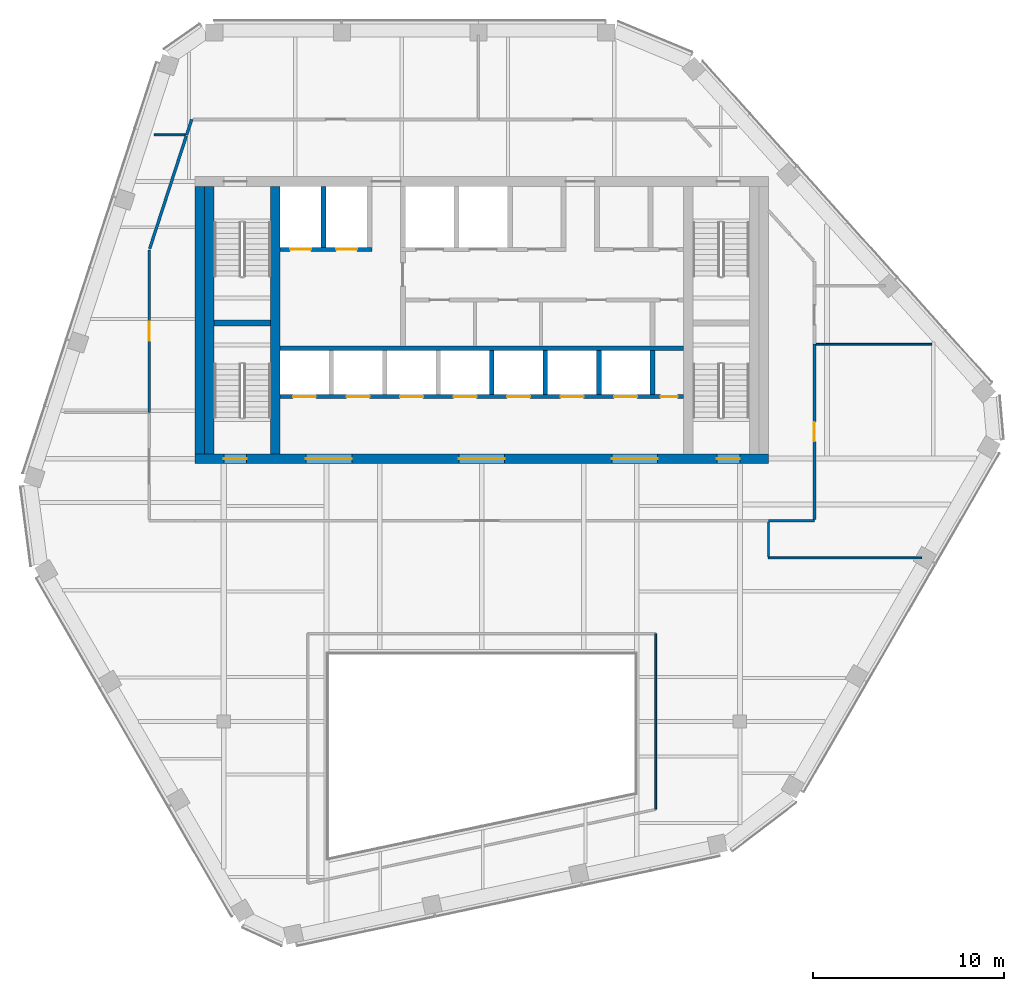
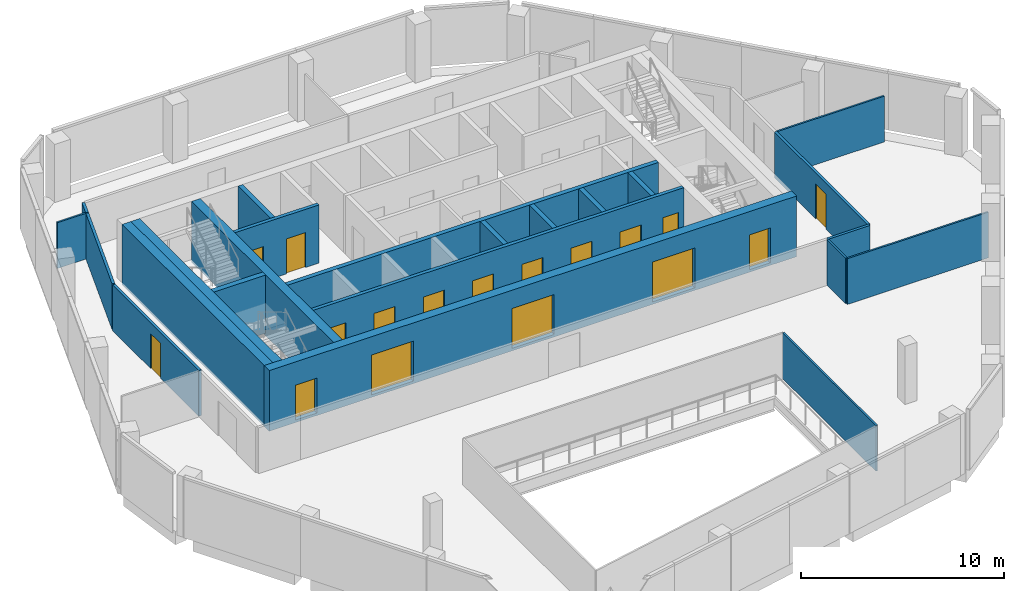
# One storey, part 8 of 15: 23 walls, 17 doors, 17 openings.
"""IFC4 building model written with IfcOpenShell, lengths in metres."""

from ifc_helpers import new_model, si_unit, direction, frame, frame_2d, origin, place, context, subcontext, project, spatial, rectangle, extrude, material, layer, layer_set, type_object, element, fill, save


model = new_model("IFC4")

# Units and contexts
model_context = context("Model", 3, precision=1e-05, world=origin(), true_north=direction((0.0, 1.0)))
body_context = subcontext(model_context, "Body", "Model", "MODEL_VIEW")
ifc_project = project(units=[si_unit("LENGTHUNIT", "METRE"), si_unit("AREAUNIT", "SQUARE_METRE"), si_unit("VOLUMEUNIT", "CUBIC_METRE"), si_unit("PLANEANGLEUNIT", "RADIAN"), si_unit("MASSUNIT", "GRAM", prefix="KILO")], contexts=[model_context])

# Site, building, storey
site_placement = place(None, origin())
site = spatial("IfcSite", under=ifc_project, at=site_placement, CompositionType="ELEMENT")
building_placement = place(site_placement, origin())
building = spatial("IfcBuilding", under=site, at=building_placement, Name="Isthmus Gate Tower", CompositionType="ELEMENT")
storey_placement = place(building_placement, frame((0.0, 0.0, 268.25)))
storey = spatial("IfcBuildingStorey", under=building, at=storey_placement, Name="L68", CompositionType="ELEMENT", Elevation=268.25)

# Walls
ifc_material_1 = material(Name="Fire-rated laminated glass in steel frame", Category="steel")
ifc_layer_1 = layer(ifc_material_1, 0.10009765625)
ifc_layer_set_1 = layer_set([ifc_layer_1], Name="ATRIUM SCREEN GLAZED WALL 100 120 MIN")
wall_type_1 = type_object("IfcWallType", Name="ATRIUM SCREEN GLAZED WALL 100 120 MIN", PredefinedType="PARTITIONING", material=ifc_layer_set_1)
wall_1_placement = place(storey_placement, frame((9.10009765625, -8.89990234375, 0.0), z_axis=(0.0, 0.0, 1.0), x_axis=(0.0, -1.0, 0.0)))
element("IfcWall", 1, at=wall_1_placement, inside=storey, type_object=wall_type_1, Name="L68 atrium screen", PredefinedType="PARTITIONING", context=body_context, shape_type="SweptSolid", body=[
    extrude(rectangle(XDim=9.200927734375, YDim=0.10009765625, at=frame_2d((4.6005859375, 0.0))), origin(), (0.0, 0.0, 1.0), 2.750732421875),
])
ifc_material_2 = material(Name="Gypsum board on steel studs, fire-rated", Category="steel")
ifc_layer_2 = layer(ifc_material_2, 0.14990234375)
ifc_layer_set_2 = layer_set([ifc_layer_2], Name="CORRIDOR WALL 150 60 MIN")
wall_type_2 = type_object("IfcWallType", Name="CORRIDOR WALL 150 60 MIN", PredefinedType="PARTITIONING", material=ifc_layer_set_2)
wall_2_placement = place(storey_placement, frame((17.39990234375, -3.0, 0.0), z_axis=(0.0, 0.0, 1.0), x_axis=(-1.0, 0.0, 0.0)))
element("IfcWall", 2, at=wall_2_placement, inside=storey, type_object=wall_type_2, Name="L68 Corridor Wall 150 60 Min", PredefinedType="PARTITIONING", context=body_context, shape_type="SweptSolid", body=[
    extrude(rectangle(XDim=2.39990234375, YDim=0.14990234375, at=frame_2d((1.199951171875, 0.0))), origin(), (0.0, 0.0, 1.0), 2.750732421875),
])

# Wall, opening, door
wall_3_placement = place(storey_placement, frame((17.39990234375, 6.237060546875, 0.0), z_axis=(0.0, 0.0, 1.0), x_axis=(0.0, -1.0, 0.0)))
wall_3 = element("IfcWall", 3, at=wall_3_placement, inside=storey, type_object=wall_type_2, Name="L68 Corridor Wall 150 60 Min", PredefinedType="PARTITIONING", context=body_context, shape_type="SweptSolid", body=[
    extrude(rectangle(XDim=9.162109375, YDim=0.14990234375, at=frame_2d((4.5810546875, 0.0))), origin(), (0.0, 0.0, 1.0), 2.750732421875),
])
opening_1_placement = place(wall_3_placement, frame((4.0810546875, 0.0, 0.0)))
opening_1 = element("IfcOpeningElement", 4, at=opening_1_placement, cuts=wall_3, Name="Opening DT-T6A-06", PredefinedType="OPENING", context=body_context, shape_type="SweptSolid", body=[
    extrude(rectangle(XDim=1.0, YDim=2.10009765625, at=frame_2d((0.5, 1.050048828125))), frame((0.0, 0.0849609375, 0.0), z_axis=(0.0, -1.0, 0.0), x_axis=(1.0, 0.0, 0.0)), (0.0, 0.0, 1.0), 0.169921875),
])
ifc_material_3 = material(Name="Solid core timber door leaf, fire-rated", Category="wood")
door_type_1 = type_object("IfcDoorType", Name="FIRE DOOR ROOM 1000 X 2100 60 MIN", OperationType="SINGLE_SWING_LEFT", PredefinedType="DOOR", material=ifc_material_3)
door_1_placement = place(opening_1_placement, origin())
door_1 = element("IfcDoor", 5, at=door_1_placement, inside=storey, type_object=door_type_1, Name="L68 room door", OperationType="SINGLE_SWING_RIGHT", OverallHeight=2.10009765625, OverallWidth=1.0, PredefinedType="DOOR", context=body_context, shape_type="SweptSolid", body=[
    extrude(rectangle(XDim=1.0, YDim=2.10009765625, at=frame_2d((0.5, 1.050048828125))), frame((0.0, 0.02490234375, 0.0), z_axis=(0.0, -1.0, 0.0), x_axis=(1.0, 0.0, 0.0)), (0.0, 0.0, 1.0), 0.050048828125),
])
fill(opening_1, door_1)

# Wall
wall_4_placement = place(storey_placement, frame((-15.44189453125, 17.18701171875, 0.0), z_axis=(0.0, 0.0, 1.0), x_axis=(0.308763129345, 0.951138964588, 0.0)))
element("IfcWall", 6, at=wall_4_placement, inside=storey, type_object=wall_type_2, Name="L68 Corridor Wall 150 60 Min", PredefinedType="PARTITIONING", context=body_context, shape_type="SweptSolid", body=[
    extrude(rectangle(XDim=0.854736328125, YDim=0.14990234375, at=frame_2d((0.42724609375, 0.0))), origin(), (0.0, 0.0, 1.0), 2.750732421875),
])

# Wall, opening, door
wall_5_placement = place(storey_placement, frame((-17.39990234375, 2.669921875, 0.0), z_axis=(0.0, 0.0, 1.0), x_axis=(0.0, 1.0, 0.0)))
wall_5 = element("IfcWall", 7, at=wall_5_placement, inside=storey, type_object=wall_type_2, Name="L68 Corridor Wall 150 60 Min", PredefinedType="PARTITIONING", context=body_context, shape_type="SweptSolid", body=[
    extrude(rectangle(XDim=8.490966796875, YDim=0.14990234375, at=frame_2d((4.24560546875, 0.0))), origin(), (0.0, 0.0, 1.0), 2.750732421875),
])
opening_2_placement = place(wall_5_placement, frame((3.74560546875, 0.0, 0.0)))
opening_2 = element("IfcOpeningElement", 8, at=opening_2_placement, cuts=wall_5, Name="Opening DT-T6A-04", PredefinedType="OPENING", context=body_context, shape_type="SweptSolid", body=[
    extrude(rectangle(XDim=1.0, YDim=2.10009765625, at=frame_2d((0.5, 1.050048828125))), frame((0.0, 0.0849609375, 0.0), z_axis=(0.0, -1.0, 0.0), x_axis=(1.0, 0.0, 0.0)), (0.0, 0.0, 1.0), 0.169921875),
])
door_2_placement = place(opening_2_placement, origin())
door_2 = element("IfcDoor", 9, at=door_2_placement, inside=storey, type_object=door_type_1, Name="L68 room door", OperationType="SINGLE_SWING_RIGHT", OverallHeight=2.10009765625, OverallWidth=1.0, PredefinedType="DOOR", context=body_context, shape_type="SweptSolid", body=[
    extrude(rectangle(XDim=1.0, YDim=2.10009765625, at=frame_2d((0.5, 1.050048828125))), frame((0.0, 0.02490234375, 0.0), z_axis=(0.0, -1.0, 0.0), x_axis=(1.0, 0.0, 0.0)), (0.0, 0.0, 1.0), 0.050048828125),
])
fill(opening_2, door_2)

# Walls
wall_6_placement = place(storey_placement, frame((-17.376708984375, 11.232421875, 0.0), z_axis=(0.0, 0.0, 1.0), x_axis=(0.309001632963, 0.951061507383, 0.0)))
element("IfcWall", 10, at=wall_6_placement, inside=storey, type_object=wall_type_2, Name="L68 Corridor Wall 150 60 Min", PredefinedType="PARTITIONING", context=body_context, shape_type="SweptSolid", body=[
    extrude(rectangle(XDim=6.2109375, YDim=0.14990234375, at=frame_2d((3.10546875, 0.0))), origin(), (0.0, 0.0, 1.0), 2.750732421875),
])
ifc_material_4 = material(Name="Concrete f'c 50 MPa", Category="concrete")
ifc_layer_3 = layer(ifc_material_4, 0.5)
ifc_layer_set_3 = layer_set([ifc_layer_3], Name="RC CORE SPINE WALL 500 F'C 50")
wall_type_3 = type_object("IfcWallType", Name="RC CORE SPINE WALL 500 F'C 50", PredefinedType="SOLIDWALL", material=ifc_layer_set_3)
wall_7_placement = place(storey_placement, frame((-10.800048828125, 0.5, -0.14990234375), z_axis=(0.0, 0.0, 1.0), x_axis=(0.0, 1.0, 0.0)))
element("IfcWall", 11, at=wall_7_placement, inside=storey, type_object=wall_type_3, Name="str-corewall-L68-SPW", PredefinedType="SOLIDWALL", context=body_context, shape_type="SweptSolid", body=[
    extrude(rectangle(XDim=14.0, YDim=0.5, at=frame_2d((7.0, 0.0))), origin(), (0.0, 0.0, 1.0), 3.64990234375),
])

# Wall, openings, doors
ifc_material_5 = material(Name="Concrete f'c 50 MPa", Category="concrete")
ifc_layer_4 = layer(ifc_material_5, 0.5)
ifc_layer_set_4 = layer_set([ifc_layer_4], Name="RC CORE WALL 500 F'C 50")
wall_type_4 = type_object("IfcWallType", Name="RC CORE WALL 500 F'C 50", PredefinedType="SOLIDWALL", material=ifc_layer_set_4)
wall_8_placement = place(storey_placement, frame((-15.0, 0.25, -0.14990234375), z_axis=(0.0, 0.0, 1.0), x_axis=(1.0, 0.0, 0.0)))
wall_8 = element("IfcWall", 12, at=wall_8_placement, inside=storey, type_object=wall_type_4, Name="str-corewall-L68-S", PredefinedType="SOLIDWALL", context=body_context, shape_type="SweptSolid", body=[
    extrude(rectangle(XDim=30.0, YDim=0.5, at=frame_2d((15.0, 0.0))), origin(), (0.0, 0.0, 1.0), 3.64990234375),
])
opening_3_placement = place(wall_8_placement, frame((5.800048828125, 0.0, 0.14990234375)))
opening_3 = element("IfcOpeningElement", 13, at=opening_3_placement, cuts=wall_8, Name="Opening DC-A18-10", PredefinedType="OPENING", context=body_context, shape_type="SweptSolid", body=[
    extrude(rectangle(XDim=2.39990234375, YDim=2.39990234375, at=frame_2d((1.199951171875, 1.199951171875))), frame((0.0, 0.260009765625, 0.0), z_axis=(0.0, -1.0, 0.0), x_axis=(1.0, 0.0, 0.0)), (0.0, 0.0, 1.0), 0.52001953125),
])
opening_4_placement = place(wall_8_placement, frame((13.800048828125, 0.0, 0.14990234375)))
opening_4 = element("IfcOpeningElement", 14, at=opening_4_placement, cuts=wall_8, Name="Opening DC-A18-11", PredefinedType="OPENING", context=body_context, shape_type="SweptSolid", body=[
    extrude(rectangle(XDim=2.39990234375, YDim=2.39990234375, at=frame_2d((1.199951171875, 1.199951171875))), frame((0.0, 0.260009765625, 0.0), z_axis=(0.0, -1.0, 0.0), x_axis=(1.0, 0.0, 0.0)), (0.0, 0.0, 1.0), 0.52001953125),
])
opening_5_placement = place(wall_8_placement, frame((21.800048828125, 0.0, 0.14990234375)))
opening_5 = element("IfcOpeningElement", 15, at=opening_5_placement, cuts=wall_8, Name="Opening DC-A18-12", PredefinedType="OPENING", context=body_context, shape_type="SweptSolid", body=[
    extrude(rectangle(XDim=2.39990234375, YDim=2.39990234375, at=frame_2d((1.199951171875, 1.199951171875))), frame((0.0, 0.260009765625, 0.0), z_axis=(0.0, -1.0, 0.0), x_axis=(1.0, 0.0, 0.0)), (0.0, 0.0, 1.0), 0.52001953125),
])
opening_6_placement = place(wall_8_placement, frame((1.5, 0.0, 0.14990234375)))
opening_6 = element("IfcOpeningElement", 16, at=opening_6_placement, cuts=wall_8, Name="Opening DC-A18-17", PredefinedType="OPENING", context=body_context, shape_type="SweptSolid", body=[
    extrude(rectangle(XDim=1.199951171875, YDim=2.10009765625, at=frame_2d((0.60009765625, 1.050048828125))), frame((0.0, 0.260009765625, 0.0), z_axis=(0.0, -1.0, 0.0), x_axis=(1.0, 0.0, 0.0)), (0.0, 0.0, 1.0), 0.52001953125),
])
opening_7_placement = place(wall_8_placement, frame((27.300048828125, 0.0, 0.14990234375)))
opening_7 = element("IfcOpeningElement", 17, at=opening_7_placement, cuts=wall_8, Name="Opening DC-A18-18", PredefinedType="OPENING", context=body_context, shape_type="SweptSolid", body=[
    extrude(rectangle(XDim=1.199951171875, YDim=2.10009765625, at=frame_2d((0.60009765625, 1.050048828125))), frame((0.0, 0.260009765625, 0.0), z_axis=(0.0, -1.0, 0.0), x_axis=(1.0, 0.0, 0.0)), (0.0, 0.0, 1.0), 0.52001953125),
])
ifc_material_6 = material(Name="Laminated safety glass in steel frame, fire-rated", Category="steel")
door_type_2 = type_object("IfcDoorType", Name="LOBBY ENTRANCE FIRE DOOR 2400 X 2400 60 MIN", OperationType="DOUBLE_DOOR_DOUBLE_SWING", PredefinedType="DOOR", material=ifc_material_6)
door_3_placement = place(opening_3_placement, origin())
door_3 = element("IfcDoor", 18, at=door_3_placement, inside=storey, type_object=door_type_2, Name="Lobby Entrance PS-W", OperationType="DOUBLE_DOOR_DOUBLE_SWING", OverallHeight=2.39990234375, OverallWidth=2.39990234375, PredefinedType="DOOR", context=body_context, shape_type="SweptSolid", body=[
    extrude(rectangle(XDim=2.39990234375, YDim=2.39990234375, at=frame_2d((1.199951171875, 1.199951171875))), frame((0.0, 0.02490234375, 0.0), z_axis=(0.0, -1.0, 0.0), x_axis=(1.0, 0.0, 0.0)), (0.0, 0.0, 1.0), 0.050048828125),
])
fill(opening_3, door_3)
door_4_placement = place(opening_4_placement, origin())
door_4 = element("IfcDoor", 19, at=door_4_placement, inside=storey, type_object=door_type_2, Name="Lobby Entrance PS-C", OperationType="DOUBLE_DOOR_DOUBLE_SWING", OverallHeight=2.39990234375, OverallWidth=2.39990234375, PredefinedType="DOOR", context=body_context, shape_type="SweptSolid", body=[
    extrude(rectangle(XDim=2.39990234375, YDim=2.39990234375, at=frame_2d((1.199951171875, 1.199951171875))), frame((0.0, 0.02490234375, 0.0), z_axis=(0.0, -1.0, 0.0), x_axis=(1.0, 0.0, 0.0)), (0.0, 0.0, 1.0), 0.050048828125),
])
fill(opening_4, door_4)
door_5_placement = place(opening_5_placement, origin())
door_5 = element("IfcDoor", 20, at=door_5_placement, inside=storey, type_object=door_type_2, Name="Lobby Entrance PS-E", OperationType="DOUBLE_DOOR_DOUBLE_SWING", OverallHeight=2.39990234375, OverallWidth=2.39990234375, PredefinedType="DOOR", context=body_context, shape_type="SweptSolid", body=[
    extrude(rectangle(XDim=2.39990234375, YDim=2.39990234375, at=frame_2d((1.199951171875, 1.199951171875))), frame((0.0, 0.02490234375, 0.0), z_axis=(0.0, -1.0, 0.0), x_axis=(1.0, 0.0, 0.0)), (0.0, 0.0, 1.0), 0.050048828125),
])
fill(opening_5, door_5)
ifc_material_7 = material(Name="Steel door leaf, fire-rated", Category="steel")
door_type_3 = type_object("IfcDoorType", Name="STAIR FIRE DOOR 1200 X 2100 90 MIN", OperationType="SINGLE_SWING_LEFT", PredefinedType="DOOR", material=ifc_material_7)
door_6_placement = place(opening_6_placement, origin())
door_6 = element("IfcDoor", 21, at=door_6_placement, inside=storey, type_object=door_type_3, Name="Exit Stair 7 Door", OperationType="SINGLE_SWING_LEFT", OverallHeight=2.10009765625, OverallWidth=1.199951171875, PredefinedType="DOOR", context=body_context, shape_type="SweptSolid", body=[
    extrude(rectangle(XDim=1.199951171875, YDim=2.10009765625, at=frame_2d((0.60009765625, 1.050048828125))), frame((0.0, 0.02490234375, 0.0), z_axis=(0.0, -1.0, 0.0), x_axis=(1.0, 0.0, 0.0)), (0.0, 0.0, 1.0), 0.050048828125),
])
fill(opening_6, door_6)
door_7_placement = place(opening_7_placement, origin())
door_7 = element("IfcDoor", 22, at=door_7_placement, inside=storey, type_object=door_type_3, Name="Exit Stair 8 Door", OperationType="SINGLE_SWING_RIGHT", OverallHeight=2.10009765625, OverallWidth=1.199951171875, PredefinedType="DOOR", context=body_context, shape_type="SweptSolid", body=[
    extrude(rectangle(XDim=1.199951171875, YDim=2.10009765625, at=frame_2d((0.60009765625, 1.050048828125))), frame((0.0, 0.02490234375, 0.0), z_axis=(0.0, -1.0, 0.0), x_axis=(1.0, 0.0, 0.0)), (0.0, 0.0, 1.0), 0.050048828125),
])
fill(opening_7, door_7)

# Walls
wall_9_placement = place(storey_placement, frame((-14.75, 0.5, -0.14990234375), z_axis=(0.0, 0.0, 1.0), x_axis=(0.0, 1.0, 0.0)))
element("IfcWall", 23, at=wall_9_placement, inside=storey, type_object=wall_type_4, Name="str-corewall-L68-W", PredefinedType="SOLIDWALL", context=body_context, shape_type="SweptSolid", body=[
    extrude(rectangle(XDim=14.0, YDim=0.5, at=frame_2d((7.0, 0.0))), origin(), (0.0, 0.0, 1.0), 3.64990234375),
])
ifc_material_8 = material(Name="Gypsum board on steel studs, fire-rated", Category="steel")
ifc_layer_5 = layer(ifc_material_8, 0.10009765625)
ifc_layer_set_5 = layer_set([ifc_layer_5], Name="ROOM PARTITION 100 30 MIN")
wall_type_5 = type_object("IfcWallType", Name="ROOM PARTITION 100 30 MIN", PredefinedType="PARTITIONING", material=ifc_layer_set_5)
wall_10_placement = place(storey_placement, frame((-17.139892578125, 17.18701171875, 0.0), z_axis=(0.0, 0.0, 1.0), x_axis=(1.0, 0.0, 0.0)))
element("IfcWall", 24, at=wall_10_placement, inside=storey, type_object=wall_type_5, Name="L68 Room Partition 100 30 Min", PredefinedType="PARTITIONING", context=body_context, shape_type="SweptSolid", body=[
    extrude(rectangle(XDim=1.622802734375, YDim=0.10009765625, at=frame_2d((0.8115234375, 0.0))), origin(), (0.0, 0.0, 1.0), 2.750732421875),
])
wall_11_placement = place(storey_placement, frame((17.47509765625, 6.237060546875, 0.0), z_axis=(0.0, 0.0, 1.0), x_axis=(1.0, 0.0, 0.0)))
element("IfcWall", 25, at=wall_11_placement, inside=storey, type_object=wall_type_5, Name="L68 Room Partition 100 30 Min", PredefinedType="PARTITIONING", context=body_context, shape_type="SweptSolid", body=[
    extrude(rectangle(XDim=6.074951171875, YDim=0.10009765625, at=frame_2d((3.03759765625, 0.0))), origin(), (0.0, 0.0, 1.0), 2.750732421875),
])
wall_12_placement = place(storey_placement, frame((15.0, -4.945068359375, 0.0), z_axis=(0.0, 0.0, 1.0), x_axis=(1.0, 0.0, 0.0)))
element("IfcWall", 26, at=wall_12_placement, inside=storey, type_object=wall_type_5, Name="L68 Room Partition 100 30 Min", PredefinedType="PARTITIONING", context=body_context, shape_type="SweptSolid", body=[
    extrude(rectangle(XDim=8.010009765625, YDim=0.10009765625, at=frame_2d((4.0048828125, 0.0))), origin(), (0.0, 0.0, 1.0), 2.750732421875),
])
wall_13_placement = place(storey_placement, frame((15.0, -4.89501953125, 0.0), z_axis=(0.0, 0.0, 1.0), x_axis=(0.0, 1.0, 0.0)))
element("IfcWall", 27, at=wall_13_placement, inside=storey, type_object=wall_type_5, Name="L68 Room Partition 100 30 Min", PredefinedType="PARTITIONING", context=body_context, shape_type="SweptSolid", body=[
    extrude(rectangle(XDim=1.820068359375, YDim=0.10009765625, at=frame_2d((0.91015625, 0.0))), origin(), (0.0, 0.0, 1.0), 2.750732421875),
])

# Wall, openings, doors
ifc_material_9 = material(Name="Fire-rated blockwork masonry, 15 MPa", Category="masonry")
ifc_layer_6 = layer(ifc_material_9, 0.199951171875)
ifc_layer_set_6 = layer_set([ifc_layer_6], Name="SHAFT FRONT WALL 200 120 MIN")
wall_type_6 = type_object("IfcWallType", Name="SHAFT FRONT WALL 200 120 MIN", PredefinedType="PARTITIONING", material=ifc_layer_set_6)
wall_14_placement = place(storey_placement, frame((-10.550048828125, 3.5, 0.0), z_axis=(0.0, 0.0, 1.0), x_axis=(1.0, 0.0, 0.0)))
wall_14 = element("IfcWall", 28, at=wall_14_placement, inside=storey, type_object=wall_type_6, Name="L68 SHAFT FRONT WALL 200 120 MIN", PredefinedType="PARTITIONING", context=body_context, shape_type="SweptSolid", body=[
    extrude(rectangle(XDim=21.10009765625, YDim=0.199951171875, at=frame_2d((10.550048828125, 0.0))), origin(), (0.0, 0.0, 1.0), 3.5),
])
opening_8_placement = place(wall_14_placement, frame((0.675048828125, 0.0, 0.0)))
opening_8 = element("IfcOpeningElement", 29, at=opening_8_placement, cuts=wall_14, Name="Opening LD-LC1", PredefinedType="OPENING", context=body_context, shape_type="SweptSolid", body=[
    extrude(rectangle(XDim=1.199951171875, YDim=2.10009765625, at=frame_2d((0.60009765625, 1.050048828125))), frame((0.0, 0.10986328125, 0.0), z_axis=(0.0, -1.0, 0.0), x_axis=(1.0, 0.0, 0.0)), (0.0, 0.0, 1.0), 0.219970703125),
])
opening_9_placement = place(wall_14_placement, frame((3.47509765625, 0.0, 0.0)))
opening_9 = element("IfcOpeningElement", 30, at=opening_9_placement, cuts=wall_14, Name="Opening LD-LC2", PredefinedType="OPENING", context=body_context, shape_type="SweptSolid", body=[
    extrude(rectangle(XDim=1.199951171875, YDim=2.10009765625, at=frame_2d((0.60009765625, 1.050048828125))), frame((0.0, 0.10986328125, 0.0), z_axis=(0.0, -1.0, 0.0), x_axis=(1.0, 0.0, 0.0)), (0.0, 0.0, 1.0), 0.219970703125),
])
opening_10_placement = place(wall_14_placement, frame((6.27490234375, 0.0, 0.0)))
opening_10 = element("IfcOpeningElement", 31, at=opening_10_placement, cuts=wall_14, Name="Opening LD-LC3", PredefinedType="OPENING", context=body_context, shape_type="SweptSolid", body=[
    extrude(rectangle(XDim=1.199951171875, YDim=2.10009765625, at=frame_2d((0.60009765625, 1.050048828125))), frame((0.0, 0.10986328125, 0.0), z_axis=(0.0, -1.0, 0.0), x_axis=(1.0, 0.0, 0.0)), (0.0, 0.0, 1.0), 0.219970703125),
])
opening_11_placement = place(wall_14_placement, frame((9.074951171875, 0.0, 0.0)))
opening_11 = element("IfcOpeningElement", 32, at=opening_11_placement, cuts=wall_14, Name="Opening LD-LC4", PredefinedType="OPENING", context=body_context, shape_type="SweptSolid", body=[
    extrude(rectangle(XDim=1.199951171875, YDim=2.10009765625, at=frame_2d((0.60009765625, 1.050048828125))), frame((0.0, 0.10986328125, 0.0), z_axis=(0.0, -1.0, 0.0), x_axis=(1.0, 0.0, 0.0)), (0.0, 0.0, 1.0), 0.219970703125),
])
opening_12_placement = place(wall_14_placement, frame((11.875, 0.0, 0.0)))
opening_12 = element("IfcOpeningElement", 33, at=opening_12_placement, cuts=wall_14, Name="Opening LD-LC5", PredefinedType="OPENING", context=body_context, shape_type="SweptSolid", body=[
    extrude(rectangle(XDim=1.199951171875, YDim=2.10009765625, at=frame_2d((0.60009765625, 1.050048828125))), frame((0.0, 0.10986328125, 0.0), z_axis=(0.0, -1.0, 0.0), x_axis=(1.0, 0.0, 0.0)), (0.0, 0.0, 1.0), 0.219970703125),
])
opening_13_placement = place(wall_14_placement, frame((14.675048828125, 0.0, 0.0)))
opening_13 = element("IfcOpeningElement", 34, at=opening_13_placement, cuts=wall_14, Name="Opening LD-LC6", PredefinedType="OPENING", context=body_context, shape_type="SweptSolid", body=[
    extrude(rectangle(XDim=1.199951171875, YDim=2.10009765625, at=frame_2d((0.60009765625, 1.050048828125))), frame((0.0, 0.10986328125, 0.0), z_axis=(0.0, -1.0, 0.0), x_axis=(1.0, 0.0, 0.0)), (0.0, 0.0, 1.0), 0.219970703125),
])
opening_14_placement = place(wall_14_placement, frame((17.47509765625, 0.0, 0.0)))
opening_14 = element("IfcOpeningElement", 35, at=opening_14_placement, cuts=wall_14, Name="Opening LD-LC7", PredefinedType="OPENING", context=body_context, shape_type="SweptSolid", body=[
    extrude(rectangle(XDim=1.199951171875, YDim=2.10009765625, at=frame_2d((0.60009765625, 1.050048828125))), frame((0.0, 0.10986328125, 0.0), z_axis=(0.0, -1.0, 0.0), x_axis=(1.0, 0.0, 0.0)), (0.0, 0.0, 1.0), 0.219970703125),
])
opening_15_placement = place(wall_14_placement, frame((19.89990234375, 0.0, 0.0)))
opening_15 = element("IfcOpeningElement", 36, at=opening_15_placement, cuts=wall_14, Name="Opening DC-A18-02", PredefinedType="OPENING", context=body_context, shape_type="SweptSolid", body=[
    extrude(rectangle(XDim=0.89990234375, YDim=2.10009765625, at=frame_2d((0.449951171875, 1.050048828125))), frame((0.0, 0.10986328125, 0.0), z_axis=(0.0, -1.0, 0.0), x_axis=(1.0, 0.0, 0.0)), (0.0, 0.0, 1.0), 0.219970703125),
])
ifc_material_10 = material(Name="Stainless steel sliding leaf", Category="steel")
door_type_4 = type_object("IfcDoorType", Name="LIFT LANDING FIRE DOOR 1200 X 2100 90 MIN", OperationType="DOUBLE_DOOR_SLIDING", PredefinedType="DOOR", material=ifc_material_10)
door_8_placement = place(opening_8_placement, origin())
door_8 = element("IfcDoor", 37, at=door_8_placement, inside=storey, type_object=door_type_4, Name="Lift Landing Door LC1", OperationType="DOUBLE_DOOR_SLIDING", OverallHeight=2.10009765625, OverallWidth=1.199951171875, PredefinedType="DOOR", context=body_context, shape_type="SweptSolid", body=[
    extrude(rectangle(XDim=1.199951171875, YDim=2.10009765625, at=frame_2d((0.60009765625, 1.050048828125))), frame((0.0, 0.02490234375, 0.0), z_axis=(0.0, -1.0, 0.0), x_axis=(1.0, 0.0, 0.0)), (0.0, 0.0, 1.0), 0.050048828125),
])
fill(opening_8, door_8)
door_9_placement = place(opening_9_placement, origin())
door_9 = element("IfcDoor", 38, at=door_9_placement, inside=storey, type_object=door_type_4, Name="Lift Landing Door LC2", OperationType="DOUBLE_DOOR_SLIDING", OverallHeight=2.10009765625, OverallWidth=1.199951171875, PredefinedType="DOOR", context=body_context, shape_type="SweptSolid", body=[
    extrude(rectangle(XDim=1.199951171875, YDim=2.10009765625, at=frame_2d((0.60009765625, 1.050048828125))), frame((0.0, 0.02490234375, 0.0), z_axis=(0.0, -1.0, 0.0), x_axis=(1.0, 0.0, 0.0)), (0.0, 0.0, 1.0), 0.050048828125),
])
fill(opening_9, door_9)
door_10_placement = place(opening_10_placement, origin())
door_10 = element("IfcDoor", 39, at=door_10_placement, inside=storey, type_object=door_type_4, Name="Lift Landing Door LC3", OperationType="DOUBLE_DOOR_SLIDING", OverallHeight=2.10009765625, OverallWidth=1.199951171875, PredefinedType="DOOR", context=body_context, shape_type="SweptSolid", body=[
    extrude(rectangle(XDim=1.199951171875, YDim=2.10009765625, at=frame_2d((0.60009765625, 1.050048828125))), frame((0.0, 0.02490234375, 0.0), z_axis=(0.0, -1.0, 0.0), x_axis=(1.0, 0.0, 0.0)), (0.0, 0.0, 1.0), 0.050048828125),
])
fill(opening_10, door_10)
door_11_placement = place(opening_11_placement, origin())
door_11 = element("IfcDoor", 40, at=door_11_placement, inside=storey, type_object=door_type_4, Name="Lift Landing Door LC4", OperationType="DOUBLE_DOOR_SLIDING", OverallHeight=2.10009765625, OverallWidth=1.199951171875, PredefinedType="DOOR", context=body_context, shape_type="SweptSolid", body=[
    extrude(rectangle(XDim=1.199951171875, YDim=2.10009765625, at=frame_2d((0.60009765625, 1.050048828125))), frame((0.0, 0.02490234375, 0.0), z_axis=(0.0, -1.0, 0.0), x_axis=(1.0, 0.0, 0.0)), (0.0, 0.0, 1.0), 0.050048828125),
])
fill(opening_11, door_11)
door_12_placement = place(opening_12_placement, origin())
door_12 = element("IfcDoor", 41, at=door_12_placement, inside=storey, type_object=door_type_4, Name="Lift Landing Door LC5", OperationType="DOUBLE_DOOR_SLIDING", OverallHeight=2.10009765625, OverallWidth=1.199951171875, PredefinedType="DOOR", context=body_context, shape_type="SweptSolid", body=[
    extrude(rectangle(XDim=1.199951171875, YDim=2.10009765625, at=frame_2d((0.60009765625, 1.050048828125))), frame((0.0, 0.02490234375, 0.0), z_axis=(0.0, -1.0, 0.0), x_axis=(1.0, 0.0, 0.0)), (0.0, 0.0, 1.0), 0.050048828125),
])
fill(opening_12, door_12)
door_13_placement = place(opening_13_placement, origin())
door_13 = element("IfcDoor", 42, at=door_13_placement, inside=storey, type_object=door_type_4, Name="Lift Landing Door LC6", OperationType="DOUBLE_DOOR_SLIDING", OverallHeight=2.10009765625, OverallWidth=1.199951171875, PredefinedType="DOOR", context=body_context, shape_type="SweptSolid", body=[
    extrude(rectangle(XDim=1.199951171875, YDim=2.10009765625, at=frame_2d((0.60009765625, 1.050048828125))), frame((0.0, 0.02490234375, 0.0), z_axis=(0.0, -1.0, 0.0), x_axis=(1.0, 0.0, 0.0)), (0.0, 0.0, 1.0), 0.050048828125),
])
fill(opening_13, door_13)
door_14_placement = place(opening_14_placement, origin())
door_14 = element("IfcDoor", 43, at=door_14_placement, inside=storey, type_object=door_type_4, Name="Lift Landing Door LC7", OperationType="DOUBLE_DOOR_SLIDING", OverallHeight=2.10009765625, OverallWidth=1.199951171875, PredefinedType="DOOR", context=body_context, shape_type="SweptSolid", body=[
    extrude(rectangle(XDim=1.199951171875, YDim=2.10009765625, at=frame_2d((0.60009765625, 1.050048828125))), frame((0.0, 0.02490234375, 0.0), z_axis=(0.0, -1.0, 0.0), x_axis=(1.0, 0.0, 0.0)), (0.0, 0.0, 1.0), 0.050048828125),
])
fill(opening_14, door_14)
ifc_material_11 = material(Name="Steel door leaf, fire-rated", Category="steel")
door_type_5 = type_object("IfcDoorType", Name="RISER FIRE DOOR 900 X 2100 90 MIN", OperationType="SINGLE_SWING_LEFT", PredefinedType="DOOR", material=ifc_material_11)
door_15_placement = place(opening_15_placement, origin())
door_15 = element("IfcDoor", 44, at=door_15_placement, inside=storey, type_object=door_type_5, Name="Riser Door", OperationType="SINGLE_SWING_RIGHT", OverallHeight=2.10009765625, OverallWidth=0.89990234375, PredefinedType="DOOR", context=body_context, shape_type="SweptSolid", body=[
    extrude(rectangle(XDim=0.89990234375, YDim=2.10009765625, at=frame_2d((0.449951171875, 1.050048828125))), frame((0.0, 0.02490234375, 0.0), z_axis=(0.0, -1.0, 0.0), x_axis=(1.0, 0.0, 0.0)), (0.0, 0.0, 1.0), 0.050048828125),
])
fill(opening_15, door_15)

wall_15_placement = place(storey_placement, frame((-10.550048828125, 11.199951171875, 0.0), z_axis=(0.0, 0.0, 1.0), x_axis=(1.0, 0.0, 0.0)))
wall_15 = element("IfcWall", 45, at=wall_15_placement, inside=storey, type_object=wall_type_6, Name="L68 SHAFT FRONT WALL 200 120 MIN", PredefinedType="PARTITIONING", context=body_context, shape_type="SweptSolid", body=[
    extrude(rectangle(XDim=4.800048828125, YDim=0.199951171875, at=frame_2d((2.39990234375, 0.0))), origin(), (0.0, 0.0, 1.0), 3.5),
])
opening_16_placement = place(wall_15_placement, frame((0.52490234375, 0.0, 0.0)))
opening_16 = element("IfcOpeningElement", 46, at=opening_16_placement, cuts=wall_15, Name="Opening LD-LF1", PredefinedType="OPENING", context=body_context, shape_type="SweptSolid", body=[
    extrude(rectangle(XDim=1.10009765625, YDim=2.10009765625, at=frame_2d((0.550048828125, 1.050048828125))), frame((0.0, 0.10986328125, 0.0), z_axis=(0.0, -1.0, 0.0), x_axis=(1.0, 0.0, 0.0)), (0.0, 0.0, 1.0), 0.219970703125),
])
opening_17_placement = place(wall_15_placement, frame((2.925048828125, 0.0, 0.0)))
opening_17 = element("IfcOpeningElement", 47, at=opening_17_placement, cuts=wall_15, Name="Opening LD-LF2", PredefinedType="OPENING", context=body_context, shape_type="SweptSolid", body=[
    extrude(rectangle(XDim=1.10009765625, YDim=2.10009765625, at=frame_2d((0.550048828125, 1.050048828125))), frame((0.0, 0.10986328125, 0.0), z_axis=(0.0, -1.0, 0.0), x_axis=(1.0, 0.0, 0.0)), (0.0, 0.0, 1.0), 0.219970703125),
])
ifc_material_12 = material(Name="Stainless steel sliding leaf", Category="steel")
door_type_6 = type_object("IfcDoorType", Name="LIFT LANDING FIRE DOOR 1100 X 2100 90 MIN", OperationType="DOUBLE_DOOR_SLIDING", PredefinedType="DOOR", material=ifc_material_12)
door_16_placement = place(opening_16_placement, origin())
door_16 = element("IfcDoor", 48, at=door_16_placement, inside=storey, type_object=door_type_6, Name="Lift Landing Door LF1", OperationType="DOUBLE_DOOR_SLIDING", OverallHeight=2.10009765625, OverallWidth=1.10009765625, PredefinedType="DOOR", context=body_context, shape_type="SweptSolid", body=[
    extrude(rectangle(XDim=1.10009765625, YDim=2.10009765625, at=frame_2d((0.550048828125, 1.050048828125))), frame((0.0, 0.02490234375, 0.0), z_axis=(0.0, -1.0, 0.0), x_axis=(1.0, 0.0, 0.0)), (0.0, 0.0, 1.0), 0.050048828125),
])
fill(opening_16, door_16)
door_17_placement = place(opening_17_placement, origin())
door_17 = element("IfcDoor", 49, at=door_17_placement, inside=storey, type_object=door_type_6, Name="Lift Landing Door LF2", OperationType="DOUBLE_DOOR_SLIDING", OverallHeight=2.10009765625, OverallWidth=1.10009765625, PredefinedType="DOOR", context=body_context, shape_type="SweptSolid", body=[
    extrude(rectangle(XDim=1.10009765625, YDim=2.10009765625, at=frame_2d((0.550048828125, 1.050048828125))), frame((0.0, 0.02490234375, 0.0), z_axis=(0.0, -1.0, 0.0), x_axis=(1.0, 0.0, 0.0)), (0.0, 0.0, 1.0), 0.050048828125),
])
fill(opening_17, door_17)

# Walls
ifc_material_13 = material(Name="Fire-rated blockwork masonry, 15 MPa", Category="masonry")
ifc_layer_7 = layer(ifc_material_13, 0.25)
ifc_layer_set_7 = layer_set([ifc_layer_7], Name="SHAFT WALL 250 120 MIN")
wall_type_7 = type_object("IfcWallType", Name="SHAFT WALL 250 120 MIN", PredefinedType="PARTITIONING", material=ifc_layer_set_7)
wall_16_placement = place(storey_placement, frame((-10.550048828125, 6.02490234375, 0.0), z_axis=(0.0, 0.0, 1.0), x_axis=(1.0, 0.0, 0.0)))
element("IfcWall", 50, at=wall_16_placement, inside=storey, type_object=wall_type_7, Name="L68 SHAFT WALL 250 120 MIN", PredefinedType="PARTITIONING", context=body_context, shape_type="SweptSolid", body=[
    extrude(rectangle(XDim=21.10009765625, YDim=0.25, at=frame_2d((10.550048828125, 0.0))), origin(), (0.0, 0.0, 1.0), 3.5),
])
for number, where, z_axis, x_axis, name in (
    (51, (0.52490234375, 3.60009765625, 0.0), (0.0, 0.0, 1.0), (0.0, 1.0, 0.0), "L68 SHAFT WALL 250 120 MIN"),
    (52, (3.324951171875, 3.60009765625, 0.0), (0.0, 0.0, 1.0), (0.0, 1.0, 0.0), "L68 SHAFT WALL 250 120 MIN"),
    (53, (6.125, 3.60009765625, 0.0), (0.0, 0.0, 1.0), (0.0, 1.0, 0.0), "L68 SHAFT WALL 250 120 MIN"),
    (54, (8.925048828125, 3.60009765625, 0.0), (0.0, 0.0, 1.0), (0.0, 1.0, 0.0), "L68 SHAFT WALL 250 120 MIN"),
):
    element("IfcWall", number, at=place(storey_placement, frame(where, z_axis=z_axis, x_axis=x_axis)), inside=storey, type_object=wall_type_7, Name=name, PredefinedType="PARTITIONING", context=body_context, shape_type="SweptSolid", body=[
        extrude(rectangle(XDim=2.2998046875, YDim=0.25, at=frame_2d((1.14990234375, 0.0))), origin(), (0.0, 0.0, 1.0), 3.5),
    ])
wall_17_placement = place(storey_placement, frame((-8.27490234375, 11.300048828125, 0.0), z_axis=(0.0, 0.0, 1.0), x_axis=(0.0, 1.0, 0.0)))
element("IfcWall", 55, at=wall_17_placement, inside=storey, type_object=wall_type_7, Name="L68 SHAFT WALL 250 120 MIN", PredefinedType="PARTITIONING", context=body_context, shape_type="SweptSolid", body=[
    extrude(rectangle(XDim=3.199951171875, YDim=0.25, at=frame_2d((1.60009765625, 0.0))), origin(), (0.0, 0.0, 1.0), 3.5),
])
ifc_material_14 = material(Name="Concrete f'c 40 MPa", Category="concrete")
ifc_layer_8 = layer(ifc_material_14, 0.300048828125)
ifc_layer_set_8 = layer_set([ifc_layer_8], Name="STAIR ENCLOSURE WALL 300 180 MIN")
wall_type_8 = type_object("IfcWallType", Name="STAIR ENCLOSURE WALL 300 180 MIN", PredefinedType="SOLIDWALL", material=ifc_layer_set_8)
wall_18_placement = place(storey_placement, frame((-14.0, 7.35009765625, 0.0), z_axis=(0.0, 0.0, 1.0), x_axis=(1.0, 0.0, 0.0)))
element("IfcWall", 56, at=wall_18_placement, inside=storey, type_object=wall_type_8, Name="L68 STAIR ENCLOSURE WALL 300 180 MIN", PredefinedType="SOLIDWALL", context=body_context, shape_type="SweptSolid", body=[
    extrude(rectangle(XDim=2.949951171875, YDim=0.300048828125, at=frame_2d((1.47509765625, 0.0))), origin(), (0.0, 0.0, 1.0), 3.5),
])
ifc_material_15 = material(Name="Concrete f'c 40 MPa", Category="concrete")
ifc_layer_9 = layer(ifc_material_15, 0.5)
ifc_layer_set_9 = layer_set([ifc_layer_9], Name="STAIR ENCLOSURE WALL 500 180 MIN")
wall_type_9 = type_object("IfcWallType", Name="STAIR ENCLOSURE WALL 500 180 MIN", PredefinedType="SOLIDWALL", material=ifc_layer_set_9)
wall_19_placement = place(storey_placement, frame((-14.25, 0.5, 0.0), z_axis=(0.0, 0.0, 1.0), x_axis=(0.0, 1.0, 0.0)))
element("IfcWall", 57, at=wall_19_placement, inside=storey, type_object=wall_type_9, Name="L68 STAIR ENCLOSURE WALL 500 180 MIN", PredefinedType="SOLIDWALL", context=body_context, shape_type="SweptSolid", body=[
    extrude(rectangle(XDim=14.0, YDim=0.5, at=frame_2d((7.0, 0.0))), origin(), (0.0, 0.0, 1.0), 3.5),
])

save(model, "model.ifc")
